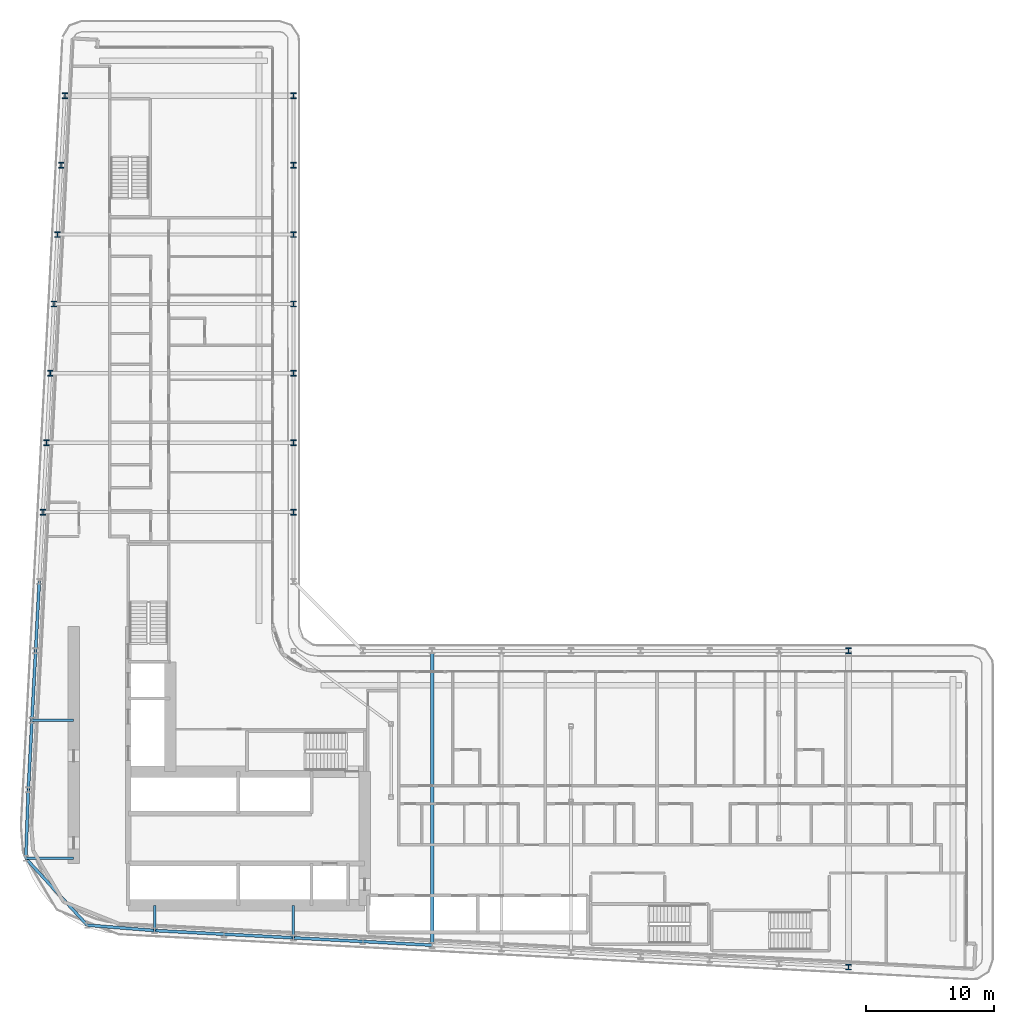
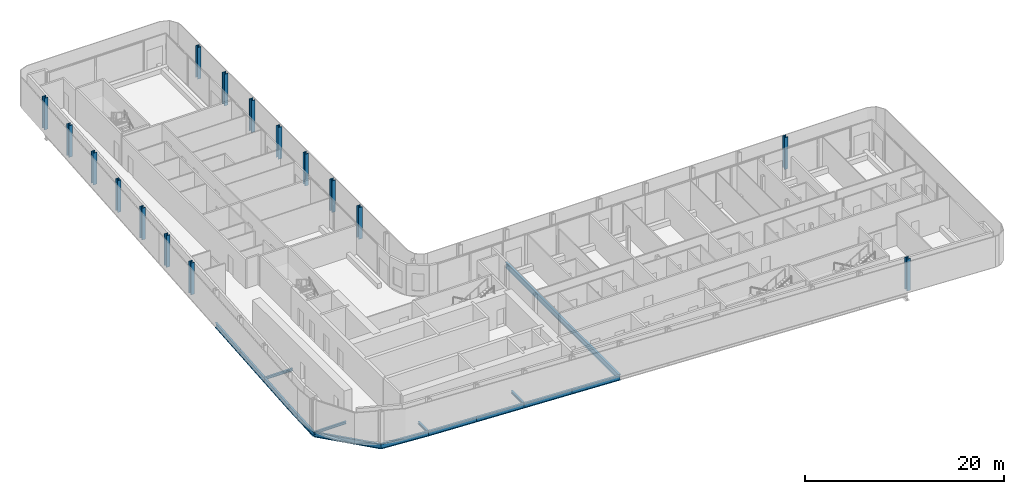
# One storey, part 3 of 25: 16 columns, 15 beams.
"""IFC4 building model written with IfcOpenShell, lengths in metres."""

from ifc_helpers import new_model, si_unit, direction, frame, origin, origin_2d, place, context, subcontext, project, spatial, i_section, extrude, material, material_profile, profile_set, type_object, element, save


model = new_model("IFC4")

# Units and contexts
model_context = context("Model", 3, precision=1e-05, world=origin(), true_north=direction((0.0, 1.0)))
body_context = subcontext(model_context, "Body", "Model", "MODEL_VIEW")
ifc_project = project(units=[si_unit("LENGTHUNIT", "METRE"), si_unit("AREAUNIT", "SQUARE_METRE"), si_unit("VOLUMEUNIT", "CUBIC_METRE"), si_unit("PLANEANGLEUNIT", "RADIAN"), si_unit("MASSUNIT", "GRAM", prefix="KILO")], contexts=[model_context])

# Site, building, storey
site_placement = place(None, origin())
site = spatial("IfcSite", under=ifc_project, at=site_placement, CompositionType="ELEMENT")
building_placement = place(site_placement, origin())
building = spatial("IfcBuilding", under=site, at=building_placement, Name="Kheshtan School and Residences Tower", CompositionType="ELEMENT")
storey_placement = place(building_placement, frame((0.0, 0.0, 109.699951171875)))
storey = spatial("IfcBuildingStorey", under=building, at=storey_placement, Name="L25", CompositionType="ELEMENT", Elevation=109.699951171875)

# Columns
ifc_material = material(Name="Steel ASTM A992 Grade 50", Category="steel")
ifc_material_profile_1 = material_profile(ifc_material, i_section(OverallWidth=0.41796875, OverallDepth=0.455078125, WebThickness=0.042236328125, FlangeThickness=0.067626953125, FilletRadius=0.013671875, at=origin_2d()), Name="W360x551")
ifc_profile_set_1 = profile_set([ifc_material_profile_1], Name="Steel ASTM A992 Grade 50")
column_type = type_object("IfcColumnType", Name="Column C2 W360x551 ASTM A992 Grade 50", PredefinedType="COLUMN", material=ifc_profile_set_1)
for number, where, z_axis, x_axis, name in (
    (1, (90.800048828125, 20.989990234375, 0.0), (0.0, 0.0, 1.0), (1.0, 0.0, 0.0), "Column C006"),
    (2, (90.800048828125, 45.60009765625, 0.0), (0.0, 0.0, 1.0), (1.0, 0.0, 0.0), "Column C068"),
    (3, (28.10595703125, 56.39990234375, 0.0), (0.0, 0.0, 1.0), (1.0, 0.0, 0.0), "Column C080"),
    (4, (47.60009765625, 56.39990234375, 0.0), (0.0, 0.0, 1.0), (1.0, 0.0, 0.0), "Column C081"),
    (5, (28.389892578125, 61.800048828125, 0.0), (0.0, 0.0, 1.0), (1.0, 0.0, 0.0), "Column C082"),
    (6, (47.60009765625, 61.800048828125, 0.0), (0.0, 0.0, 1.0), (1.0, 0.0, 0.0), "Column C083"),
    (7, (28.674072265625, 67.199951171875, 0.0), (0.0, 0.0, 1.0), (1.0, 0.0, 0.0), "Column C084"),
    (8, (47.60009765625, 67.199951171875, 0.0), (0.0, 0.0, 1.0), (1.0, 0.0, 0.0), "Column C085"),
    (9, (28.9580078125, 72.60009765625, 0.0), (0.0, 0.0, 1.0), (1.0, 0.0, 0.0), "Column C086"),
    (10, (47.60009765625, 72.60009765625, 0.0), (0.0, 0.0, 1.0), (1.0, 0.0, 0.0), "Column C087"),
    (11, (29.242919921875, 78.0, 0.0), (0.0, 0.0, 1.0), (1.0, 0.0, 0.0), "Column C088"),
    (12, (47.60009765625, 78.0, 0.0), (0.0, 0.0, 1.0), (1.0, 0.0, 0.0), "Column C089"),
    (13, (29.527099609375, 83.39990234375, 0.0), (0.0, 0.0, 1.0), (1.0, 0.0, 0.0), "Column C090"),
    (14, (47.60009765625, 83.39990234375, 0.0), (0.0, 0.0, 1.0), (1.0, 0.0, 0.0), "Column C091"),
    (15, (29.81103515625, 88.800048828125, 0.0), (0.0, 0.0, 1.0), (1.0, 0.0, 0.0), "Column C098"),
    (16, (47.60009765625, 88.800048828125, 0.0), (0.0, 0.0, 1.0), (1.0, 0.0, 0.0), "Column C099"),
):
    element("IfcColumn", number, at=place(storey_placement, frame(where, z_axis=z_axis, x_axis=x_axis)), inside=storey, type_object=column_type, Name=name, PredefinedType="COLUMN", context=body_context, shape_type="SweptSolid", body=[
        extrude(i_section(OverallWidth=0.41796875, OverallDepth=0.455078125, WebThickness=0.042236328125, FlangeThickness=0.067626953125, FilletRadius=0.013671875, at=origin_2d()), origin(), (0.0, 0.0, 1.0), 3.900146484375),
    ])

# Beams
ifc_material_profile_2 = material_profile(ifc_material, i_section(OverallWidth=0.202880859375, OverallDepth=0.302978515625, WebThickness=0.007568359375, FlangeThickness=0.01318359375, FilletRadius=0.009033203125, at=origin_2d()), Name="W310x60")
ifc_profile_set_2 = profile_set([ifc_material_profile_2], Name="Steel ASTM A992 Grade 50")
beam_type_1 = type_object("IfcBeamType", Name="Beam FB1 W310x60 ASTM A992 Grade 50", PredefinedType="BEAM", material=ifc_profile_set_2)
beam_1_placement = place(storey_placement, frame((47.60009765625, 23.263916015625, -0.301513671875), z_axis=(0.0, 1.0, 0.0), x_axis=(-1.0, 0.0, 0.0)))
element("IfcBeam", 17, at=beam_1_placement, inside=storey, type_object=beam_type_1, Name="Floor beam C020", PredefinedType="BEAM", context=body_context, shape_type="SweptSolid", body=[
    extrude(i_section(OverallWidth=0.202880859375, OverallDepth=0.302978515625, WebThickness=0.007568359375, FlangeThickness=0.01318359375, FilletRadius=0.009033203125, at=origin_2d()), origin(), (0.0, 0.0, 1.0), 2.5361328125),
])
beam_2_placement = place(storey_placement, frame((36.800048828125, 23.83203125, -0.301513671875), z_axis=(0.0, 1.0, 0.0), x_axis=(-1.0, 0.0, 0.0)))
element("IfcBeam", 18, at=beam_2_placement, inside=storey, type_object=beam_type_1, Name="Floor beam C022", PredefinedType="BEAM", context=body_context, shape_type="SweptSolid", body=[
    extrude(i_section(OverallWidth=0.202880859375, OverallDepth=0.302978515625, WebThickness=0.007568359375, FlangeThickness=0.01318359375, FilletRadius=0.009033203125, at=origin_2d()), origin(), (0.0, 0.0, 1.0), 1.968017578125),
])
beam_3_placement = place(storey_placement, frame((26.77197265625, 29.449951171875, -0.301513671875), z_axis=(1.0, 0.0, 0.0), x_axis=(0.0, 1.0, 0.0)))
element("IfcBeam", 19, at=beam_3_placement, inside=storey, type_object=beam_type_1, Name="Floor beam C037", PredefinedType="BEAM", context=body_context, shape_type="SweptSolid", body=[
    extrude(i_section(OverallWidth=0.202880859375, OverallDepth=0.302978515625, WebThickness=0.007568359375, FlangeThickness=0.01318359375, FilletRadius=0.009033203125, at=origin_2d()), origin(), (0.0, 0.0, 1.0), 3.72802734375),
])
beam_4_placement = place(storey_placement, frame((27.2529296875, 40.199951171875, -0.301513671875), z_axis=(1.0, 0.0, 0.0), x_axis=(0.0, 1.0, 0.0)))
element("IfcBeam", 20, at=beam_4_placement, inside=storey, type_object=beam_type_1, Name="Floor beam C056", PredefinedType="BEAM", context=body_context, shape_type="SweptSolid", body=[
    extrude(i_section(OverallWidth=0.202880859375, OverallDepth=0.302978515625, WebThickness=0.007568359375, FlangeThickness=0.01318359375, FilletRadius=0.009033203125, at=origin_2d()), origin(), (0.0, 0.0, 1.0), 3.2470703125),
])
ifc_material_profile_3 = material_profile(ifc_material, i_section(OverallWidth=0.2529296875, OverallDepth=0.677978515625, WebThickness=0.01171875, FlangeThickness=0.016357421875, FilletRadius=0.0146484375, at=origin_2d()), Name="W690x125")
ifc_profile_set_3 = profile_set([ifc_material_profile_3], Name="Steel ASTM A992 Grade 50")
beam_type_2 = type_object("IfcBeamType", Name="Beam FB6 W690x125 ASTM A992 Grade 50", PredefinedType="BEAM", material=ifc_profile_set_3)
beam_5_placement = place(storey_placement, frame((58.39990234375, 22.695068359375, -0.489013671875), z_axis=(0.0, 1.0, 0.0), x_axis=(-1.0, 0.0, 0.0)))
element("IfcBeam", 21, at=beam_5_placement, inside=storey, type_object=beam_type_2, Name="Floor beam C018", PredefinedType="BEAM", context=body_context, shape_type="SweptSolid", body=[
    extrude(i_section(OverallWidth=0.2529296875, OverallDepth=0.677978515625, WebThickness=0.01171875, FlangeThickness=0.016357421875, FilletRadius=0.0146484375, at=origin_2d()), origin(), (0.0, 0.0, 1.0), 22.905029296875),
])
ifc_material_profile_4 = material_profile(ifc_material, i_section(OverallWidth=0.22802734375, OverallDepth=0.60302734375, WebThickness=0.010498046875, FlangeThickness=0.014892578125, FilletRadius=0.013427734375, at=origin_2d()), Name="W610x101")
ifc_profile_set_4 = profile_set([ifc_material_profile_4], Name="Steel ASTM A992 Grade 50")
beam_type_3 = type_object("IfcBeamType", Name="Beam SP2 W610x101 ASTM A992 Grade 50", PredefinedType="BEAM", material=ifc_profile_set_4)
for number, where, z_axis, x_axis, name in (
    (22, (58.39990234375, 22.695068359375, -0.451416015625), (-0.998610961136, 0.052689166816, 0.0), (-0.052689166816, -0.998610961136, 0.0), "Spandrel beam C018-C019"),
    (23, (53.0, 22.97998046875, -0.451416015625), (-0.998620447272, 0.05250906864, 0.0), (-0.05250906864, -0.998620447272, 0.0), "Spandrel beam C019-C020"),
):
    element("IfcBeam", number, at=place(storey_placement, frame(where, z_axis=z_axis, x_axis=x_axis)), inside=storey, type_object=beam_type_3, Name=name, PredefinedType="BEAM", context=body_context, shape_type="SweptSolid", body=[
        extrude(i_section(OverallWidth=0.22802734375, OverallDepth=0.60302734375, WebThickness=0.010498046875, FlangeThickness=0.014892578125, FilletRadius=0.013427734375, at=origin_2d()), origin(), (0.0, 0.0, 1.0), 5.407470703125),
    ])
beam_6_placement = place(storey_placement, frame((47.60009765625, 23.263916015625, -0.451416015625), z_axis=(-0.998618203458, 0.052551724256, 0.0), x_axis=(-0.052551724256, -0.998618203458, 0.0)))
element("IfcBeam", 24, at=beam_6_placement, inside=storey, type_object=beam_type_3, Name="Spandrel beam C020-C021", PredefinedType="BEAM", context=body_context, shape_type="SweptSolid", body=[
    extrude(i_section(OverallWidth=0.22802734375, OverallDepth=0.60302734375, WebThickness=0.010498046875, FlangeThickness=0.014892578125, FilletRadius=0.013427734375, at=origin_2d()), origin(), (0.0, 0.0, 1.0), 5.40771484375),
])
beam_7_placement = place(storey_placement, frame((42.199951171875, 23.548095703125, -0.451416015625), z_axis=(-0.998620447272, 0.05250906864, 0.0), x_axis=(-0.05250906864, -0.998620447272, 0.0)))
element("IfcBeam", 25, at=beam_7_placement, inside=storey, type_object=beam_type_3, Name="Spandrel beam C021-C022", PredefinedType="BEAM", context=body_context, shape_type="SweptSolid", body=[
    extrude(i_section(OverallWidth=0.22802734375, OverallDepth=0.60302734375, WebThickness=0.010498046875, FlangeThickness=0.014892578125, FilletRadius=0.013427734375, at=origin_2d()), origin(), (0.0, 0.0, 1.0), 5.407470703125),
])
beam_8_placement = place(storey_placement, frame((36.800048828125, 23.83203125, -0.451416015625), z_axis=(-0.996847030951, 0.079347318067, 0.0), x_axis=(-0.079347318067, -0.996847030951, 0.0)))
element("IfcBeam", 26, at=beam_8_placement, inside=storey, type_object=beam_type_3, Name="Spandrel beam C022-C024", PredefinedType="BEAM", context=body_context, shape_type="SweptSolid", body=[
    extrude(i_section(OverallWidth=0.22802734375, OverallDepth=0.60302734375, WebThickness=0.010498046875, FlangeThickness=0.014892578125, FilletRadius=0.013427734375, at=origin_2d()), origin(), (0.0, 0.0, 1.0), 5.267578125),
])
beam_9_placement = place(storey_placement, frame((31.549072265625, 24.25, -0.451416015625), z_axis=(-0.676530541183, 0.73641457539, 0.0), x_axis=(-0.73641457539, -0.676530541183, 0.0)))
element("IfcBeam", 27, at=beam_9_placement, inside=storey, type_object=beam_type_3, Name="Spandrel beam C024-C037", PredefinedType="BEAM", context=body_context, shape_type="SweptSolid", body=[
    extrude(i_section(OverallWidth=0.22802734375, OverallDepth=0.60302734375, WebThickness=0.010498046875, FlangeThickness=0.014892578125, FilletRadius=0.013427734375, at=origin_2d()), origin(), (0.0, 0.0, 1.0), 7.061279296875),
])
beam_10_placement = place(storey_placement, frame((26.77197265625, 29.449951171875, -0.451416015625), z_axis=(0.036800828439, 0.999322620091, 0.0), x_axis=(-0.999322620091, 0.036800828439, 0.0)))
element("IfcBeam", 28, at=beam_10_placement, inside=storey, type_object=beam_type_3, Name="Spandrel beam C037-C052", PredefinedType="BEAM", context=body_context, shape_type="SweptSolid", body=[
    extrude(i_section(OverallWidth=0.22802734375, OverallDepth=0.60302734375, WebThickness=0.010498046875, FlangeThickness=0.014892578125, FilletRadius=0.013427734375, at=origin_2d()), origin(), (0.0, 0.0, 1.0), 5.353759765625),
])
beam_11_placement = place(storey_placement, frame((26.968994140625, 34.800048828125, -0.451416015625), z_axis=(0.05250906864, 0.998620447272, 0.0), x_axis=(-0.998620447272, 0.05250906864, 0.0)))
element("IfcBeam", 29, at=beam_11_placement, inside=storey, type_object=beam_type_3, Name="Spandrel beam C052-C056", PredefinedType="BEAM", context=body_context, shape_type="SweptSolid", body=[
    extrude(i_section(OverallWidth=0.22802734375, OverallDepth=0.60302734375, WebThickness=0.010498046875, FlangeThickness=0.014892578125, FilletRadius=0.013427734375, at=origin_2d()), origin(), (0.0, 0.0, 1.0), 5.407470703125),
])
beam_12_placement = place(storey_placement, frame((27.2529296875, 40.199951171875, -0.451416015625), z_axis=(0.052551724256, 0.998618203458, 0.0), x_axis=(-0.998618203458, 0.052551724256, 0.0)))
element("IfcBeam", 30, at=beam_12_placement, inside=storey, type_object=beam_type_3, Name="Spandrel beam C056-C059", PredefinedType="BEAM", context=body_context, shape_type="SweptSolid", body=[
    extrude(i_section(OverallWidth=0.22802734375, OverallDepth=0.60302734375, WebThickness=0.010498046875, FlangeThickness=0.014892578125, FilletRadius=0.013427734375, at=origin_2d()), origin(), (0.0, 0.0, 1.0), 5.40771484375),
])
beam_13_placement = place(storey_placement, frame((27.537109375, 45.60009765625, -0.451416015625), z_axis=(0.052689166816, 0.998610961136, 0.0), x_axis=(-0.998610961136, 0.052689166816, 0.0)))
element("IfcBeam", 31, at=beam_13_placement, inside=storey, type_object=beam_type_3, Name="Spandrel beam C059-C078", PredefinedType="BEAM", context=body_context, shape_type="SweptSolid", body=[
    extrude(i_section(OverallWidth=0.22802734375, OverallDepth=0.60302734375, WebThickness=0.010498046875, FlangeThickness=0.014892578125, FilletRadius=0.013427734375, at=origin_2d()), origin(), (0.0, 0.0, 1.0), 5.407470703125),
])

save(model, "model.ifc")
